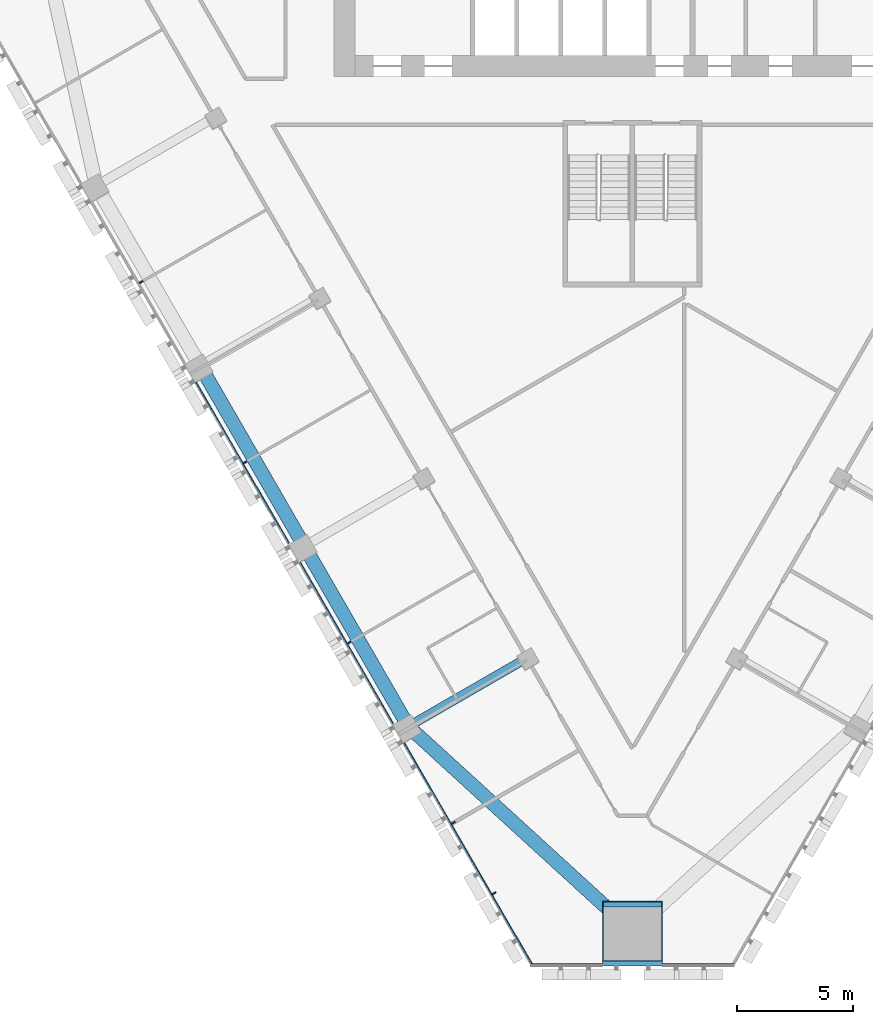
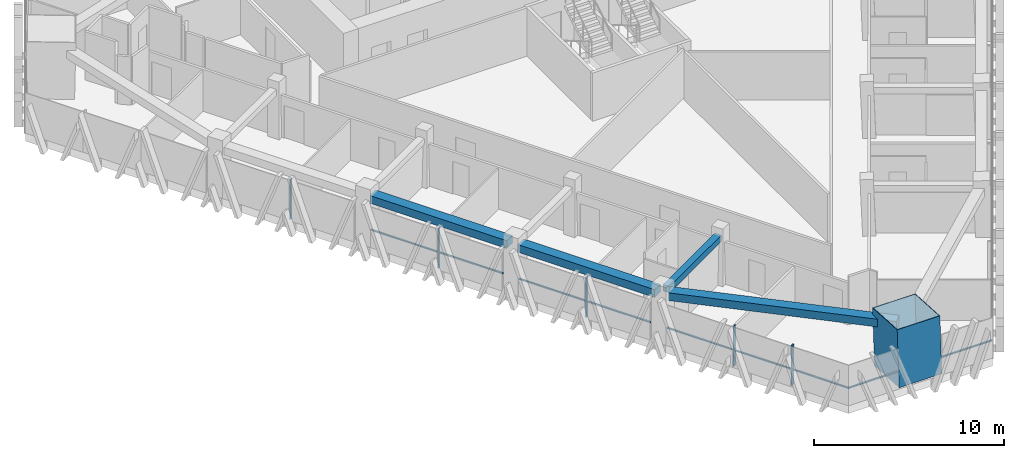
# One storey, part 2 of 16: 11 members, 4 beams, 2 elements without a shape of their own.
"""IFC4 building model written with IfcOpenShell, lengths in metres."""

from ifc_helpers import new_model, si_unit, direction, frame, origin, origin_2d, place, context, subcontext, project, spatial, rectangle, hollow_rectangle, extrude, material, layer, layer_set, material_profile, profile_set, type_object, element, aggregate, save


model = new_model("IFC4")

# Units and contexts
model_context = context("Model", 3, precision=1e-05, world=origin(), true_north=direction((0.0, 1.0)))
body_context = subcontext(model_context, "Body", "Model", "MODEL_VIEW")
ifc_project = project(units=[si_unit("LENGTHUNIT", "METRE"), si_unit("AREAUNIT", "SQUARE_METRE"), si_unit("VOLUMEUNIT", "CUBIC_METRE"), si_unit("PLANEANGLEUNIT", "RADIAN"), si_unit("MASSUNIT", "GRAM", prefix="KILO")], contexts=[model_context])

# Site, building, storey
site_placement = place(None, origin())
site = spatial("IfcSite", under=ifc_project, at=site_placement, CompositionType="ELEMENT")
building_placement = place(site_placement, origin())
building = spatial("IfcBuilding", under=site, at=building_placement, Name="Altiplano Prism Tower", CompositionType="ELEMENT")
storey_placement = place(building_placement, frame((0.0, 0.0, 84.60009765625)))
storey = spatial("IfcBuildingStorey", under=building, at=storey_placement, Name="L21", CompositionType="ELEMENT", Elevation=84.60009765625)

# Curtain wall, members
ifc_material_1 = material(Name="Aluminium and glass", Category="aluminium")
ifc_layer = layer(ifc_material_1, 0.280029296875)
ifc_layer_set = layer_set([ifc_layer], Name="Aluminium and glass")
curtain_wall_type = type_object("IfcCurtainWallType", Name="CW1 typical co-living unitised curtain wall", PredefinedType="NOTDEFINED", material=ifc_layer_set)
curtain_wall_1_placement = place(storey_placement, origin())
curtain_wall_1 = element("IfcCurtainWall", 1, at=curtain_wall_1_placement, inside=storey, type_object=curtain_wall_type, Name="CW1 curtain wall south-west face L21", PredefinedType="NOTDEFINED")
ifc_material_2 = material(Name="Aluminium", Category="aluminium")
ifc_material_profile_1 = material_profile(ifc_material_2, rectangle(XDim=0.179931640625, YDim=0.06494140625, at=origin_2d()), Name="CW1 mullion 65 x 180")
ifc_profile_set_1 = profile_set([ifc_material_profile_1], Name="Aluminium")
member_type_1 = type_object("IfcMemberType", Name="CW1 mullion 65 x 180", PredefinedType="MULLION", material=ifc_profile_set_1)
member_1_placement = place(storey_placement, frame((63.7578125, 83.60595703125, 0.0), z_axis=(0.0, 0.0, 1.0), x_axis=(0.866025399238, 0.500000007875, 0.0)))
member_1 = element("IfcMember", 2, at=member_1_placement, type_object=member_type_1, Name="CW1 mullion", PredefinedType="MULLION", context=body_context, shape_type="SweptSolid", body=[
    extrude(rectangle(XDim=0.179931640625, YDim=0.06494140625, at=origin_2d()), origin(), (0.0, 0.0, 1.0), 2.599853515625),
])
member_2_placement = place(storey_placement, frame((68.2578125, 75.811767578125, 0.0), z_axis=(0.0, 0.0, 1.0), x_axis=(0.866025399238, 0.500000007875, 0.0)))
member_2 = element("IfcMember", 3, at=member_2_placement, type_object=member_type_1, Name="CW1 mullion", PredefinedType="MULLION", context=body_context, shape_type="SweptSolid", body=[
    extrude(rectangle(XDim=0.179931640625, YDim=0.06494140625, at=origin_2d()), origin(), (0.0, 0.0, 1.0), 2.599853515625),
])
member_3_placement = place(storey_placement, frame((72.7578125, 68.017578125, 0.0), z_axis=(0.0, 0.0, 1.0), x_axis=(0.866025399238, 0.500000007875, 0.0)))
member_3 = element("IfcMember", 4, at=member_3_placement, type_object=member_type_1, Name="CW1 mullion", PredefinedType="MULLION", context=body_context, shape_type="SweptSolid", body=[
    extrude(rectangle(XDim=0.179931640625, YDim=0.06494140625, at=origin_2d()), origin(), (0.0, 0.0, 1.0), 2.599853515625),
])
member_4_placement = place(storey_placement, frame((77.2578125, 60.223388671875, 0.0), z_axis=(0.0, 0.0, 1.0), x_axis=(0.866025399238, 0.500000007875, 0.0)))
member_4 = element("IfcMember", 5, at=member_4_placement, type_object=member_type_1, Name="CW1 mullion", PredefinedType="MULLION", context=body_context, shape_type="SweptSolid", body=[
    extrude(rectangle(XDim=0.179931640625, YDim=0.06494140625, at=origin_2d()), origin(), (0.0, 0.0, 1.0), 2.599853515625),
])
member_5_placement = place(storey_placement, frame((79.01904296875, 57.1728515625, 0.0), z_axis=(0.0, 0.0, 1.0), x_axis=(0.866025399238, 0.500000007875, 0.0)))
member_5 = element("IfcMember", 6, at=member_5_placement, type_object=member_type_1, Name="CW1 mullion", PredefinedType="MULLION", context=body_context, shape_type="SweptSolid", body=[
    extrude(rectangle(XDim=0.179931640625, YDim=0.06494140625, at=origin_2d()), origin(), (0.0, 0.0, 1.0), 2.599853515625),
])
ifc_material_profile_2 = material_profile(ifc_material_2, rectangle(XDim=0.06005859375, YDim=0.080078125, at=origin_2d()), Name="CW1 transom 80 x 60")
ifc_profile_set_2 = profile_set([ifc_material_profile_2], Name="Aluminium")
member_type_2 = type_object("IfcMemberType", Name="CW1 transom 80 x 60", PredefinedType="USERDEFINED", material=ifc_profile_set_2)
member_6_placement = place(storey_placement, frame((66.129150390625, 79.258544921875, 1.099853515625), z_axis=(0.500012318566, -0.86601829154, 0.0), x_axis=(0.86601829154, 0.500012318566, 0.0)))
member_6 = element("IfcMember", 7, at=member_6_placement, type_object=member_type_2, Name="CW1 transom", ObjectType="TRANSOM", PredefinedType="USERDEFINED", context=body_context, shape_type="SweptSolid", body=[
    extrude(rectangle(XDim=0.06005859375, YDim=0.080078125, at=origin_2d()), origin(), (0.0, 0.0, 1.0), 8.019775390625),
])
member_7_placement = place(storey_placement, frame((70.629150390625, 71.46435546875, 1.099853515625), z_axis=(0.500012318566, -0.86601829154, 0.0), x_axis=(0.86601829154, 0.500012318566, 0.0)))
member_7 = element("IfcMember", 8, at=member_7_placement, type_object=member_type_2, Name="CW1 transom", ObjectType="TRANSOM", PredefinedType="USERDEFINED", context=body_context, shape_type="SweptSolid", body=[
    extrude(rectangle(XDim=0.06005859375, YDim=0.080078125, at=origin_2d()), origin(), (0.0, 0.0, 1.0), 8.019775390625),
])
member_8_placement = place(storey_placement, frame((75.129150390625, 63.670166015625, 1.099853515625), z_axis=(0.499999298661, -0.866025808702, 0.0), x_axis=(0.866025808702, 0.499999298661, 0.0)))
member_8 = element("IfcMember", 9, at=member_8_placement, type_object=member_type_2, Name="CW1 transom", ObjectType="TRANSOM", PredefinedType="USERDEFINED", context=body_context, shape_type="SweptSolid", body=[
    extrude(rectangle(XDim=0.06005859375, YDim=0.080078125, at=origin_2d()), origin(), (0.0, 0.0, 1.0), 11.09423828125),
])
aggregate(curtain_wall_1, [member_1, member_2, member_6, member_3, member_7, member_4, member_5, member_8])

curtain_wall_2_placement = place(storey_placement, origin())
curtain_wall_2 = element("IfcCurtainWall", 10, at=curtain_wall_2_placement, inside=storey, type_object=curtain_wall_type, Name="CW1 curtain wall south chamfer L21", PredefinedType="NOTDEFINED")
member_9_placement = place(storey_placement, frame((80.61572265625, 54.09716796875, 1.099853515625), z_axis=(1.0, 0.0, 0.0), x_axis=(0.0, 1.0, 0.0)))
member_9 = element("IfcMember", 11, at=member_9_placement, type_object=member_type_2, Name="CW1 transom", ObjectType="TRANSOM", PredefinedType="USERDEFINED", context=body_context, shape_type="SweptSolid", body=[
    extrude(rectangle(XDim=0.06005859375, YDim=0.080078125, at=origin_2d()), origin(), (0.0, 0.0, 1.0), 3.084228515625),
])
member_10_placement = place(storey_placement, frame((86.300048828125, 54.09716796875, 1.099853515625), z_axis=(1.0, 0.0, 0.0), x_axis=(0.0, 1.0, 0.0)))
member_10 = element("IfcMember", 12, at=member_10_placement, type_object=member_type_2, Name="CW1 transom", ObjectType="TRANSOM", PredefinedType="USERDEFINED", context=body_context, shape_type="SweptSolid", body=[
    extrude(rectangle(XDim=0.06005859375, YDim=0.080078125, at=origin_2d()), origin(), (0.0, 0.0, 1.0), 3.084228515625),
])
aggregate(curtain_wall_2, [member_9, member_10])

# Beams
ifc_material_3 = material(Name="Concrete C60/75", Category="concrete")
ifc_material_profile_3 = material_profile(ifc_material_3, rectangle(XDim=0.60009765625, YDim=0.5, at=origin_2d()), Name="Edge beam 600x500")
ifc_profile_set_3 = profile_set([ifc_material_profile_3], Name="Concrete C60/75")
beam_type_1 = type_object("IfcBeamType", Name="Edge beam 600x500", PredefinedType="SPANDREL", material=ifc_profile_set_3)
for number, where, z_axis, x_axis, name in (
    (13, (66.47802734375, 79.691650390625, 2.849853515625), (0.499992746786, -0.866029591389, 0.0), (0.866029591389, 0.499992746786, 0.0), "Edge beam P12-P13 L22"),
    (14, (70.97802734375, 71.8974609375, 2.849853515625), (0.499992746786, -0.866029591389, 0.0), (0.866029591389, 0.499992746786, 0.0), "Edge beam P13-P14 L22"),
):
    element("IfcBeam", number, at=place(storey_placement, frame(where, z_axis=z_axis, x_axis=x_axis)), inside=storey, type_object=beam_type_1, Name=name, PredefinedType="SPANDREL", context=body_context, shape_type="SweptSolid", body=[
        extrude(rectangle(XDim=0.60009765625, YDim=0.5, at=origin_2d()), origin(), (0.0, 0.0, 1.0), 8.33984375),
    ])
beam_1_placement = place(storey_placement, frame((75.572998046875, 64.1513671875, 2.849853515625), z_axis=(0.738225876318, -0.674553597229, 0.0), x_axis=(0.674553597229, 0.738225876318, 0.0)))
element("IfcBeam", 15, at=beam_1_placement, inside=storey, type_object=beam_type_1, Name="Edge beam P14-M1 L22", PredefinedType="SPANDREL", context=body_context, shape_type="SweptSolid", body=[
    extrude(rectangle(XDim=0.60009765625, YDim=0.5, at=origin_2d()), origin(), (0.0, 0.0, 1.0), 12.31982421875),
])

# Member
ifc_material_4 = material(Name="Steel S460", Category="steel")
ifc_material_profile_4 = material_profile(ifc_material_4, hollow_rectangle(XDim=2.60009765625, YDim=2.60009765625, WallThickness=0.0400390625, at=origin_2d()), Name="Mega column tube 2600")
ifc_profile_set_4 = profile_set([ifc_material_profile_4], Name="Steel S460")
member_type_3 = type_object("IfcMemberType", Name="Mega column tube 2600", PredefinedType="POST", material=ifc_profile_set_4)
member_11_placement = place(storey_placement, frame((85.0, 55.3271484375, 0.0), z_axis=(0.0, 0.058360852261, 0.998295552892), x_axis=(-1.0, 0.0, 0.0)))
element("IfcMember", 16, at=member_11_placement, inside=storey, type_object=member_type_3, Name="Mega column tube M1 L21", PredefinedType="POST", context=body_context, shape_type="SweptSolid", body=[
    extrude(hollow_rectangle(XDim=2.60009765625, YDim=2.60009765625, WallThickness=0.0400390625, at=origin_2d()), origin(), (0.0, 0.0, 1.0), 3.60595703125),
])

# Beam
ifc_material_profile_5 = material_profile(ifc_material_3, rectangle(XDim=0.39990234375, YDim=0.39990234375, at=origin_2d()), Name="Tie beam 400x400")
ifc_profile_set_5 = profile_set([ifc_material_profile_5], Name="Concrete C60/75")
beam_type_2 = type_object("IfcBeamType", Name="Tie beam 400x400", PredefinedType="BEAM", material=ifc_profile_set_5)
beam_2_placement = place(storey_placement, frame((80.353271484375, 67.298828125, 2.89990234375), z_axis=(-0.866031549307, -0.499989355492, 0.0), x_axis=(0.499989355492, -0.866031549307, 0.0)))
element("IfcBeam", 17, at=beam_2_placement, inside=storey, type_object=beam_type_2, Name="Tie beam I14 L22", PredefinedType="BEAM", context=body_context, shape_type="SweptSolid", body=[
    extrude(rectangle(XDim=0.39990234375, YDim=0.39990234375, at=origin_2d()), origin(), (0.0, 0.0, 1.0), 5.48974609375),
])

save(model, "model.ifc")
